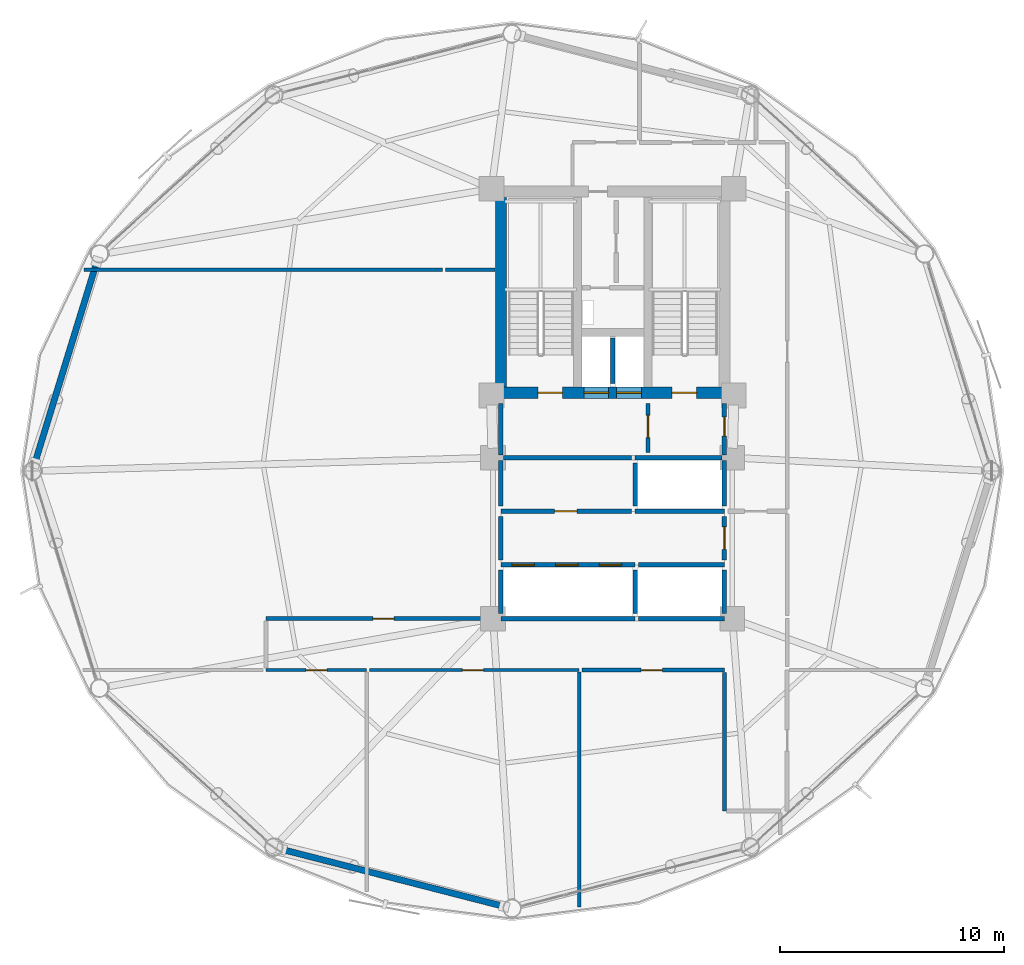
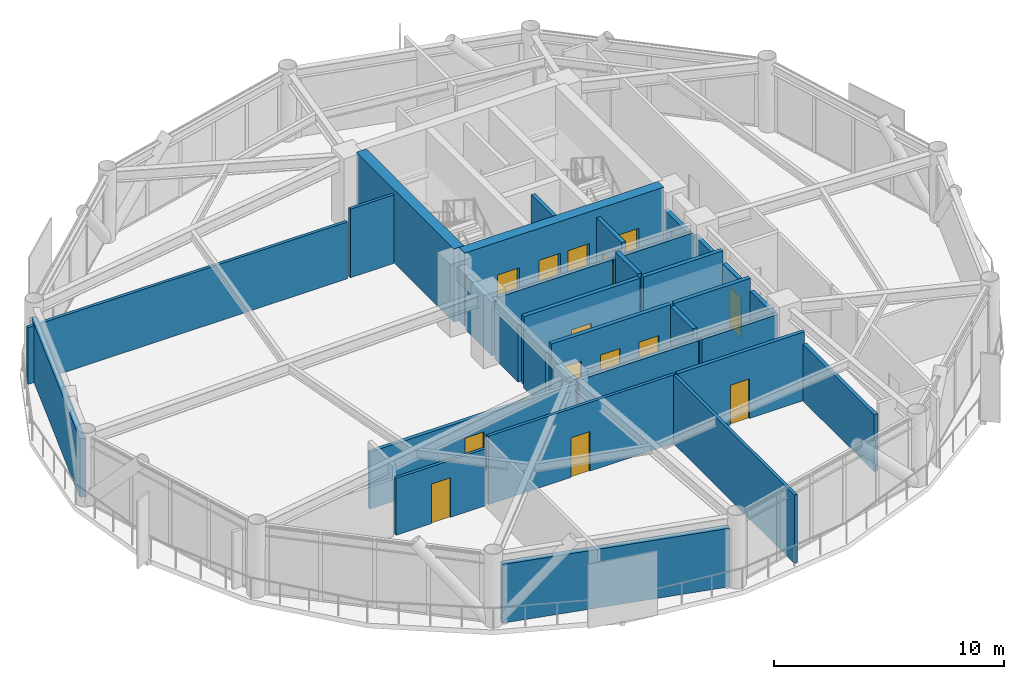
# One storey, part 20 of 24: 32 walls, 15 doors, 15 openings.
"""IFC4 building model written with IfcOpenShell, lengths in metres."""

from ifc_helpers import new_model, si_unit, direction, frame, frame_2d, origin, place, context, subcontext, project, spatial, rectangle, extrude, material, layer, layer_set, type_object, element, fill, save


model = new_model("IFC4")

# Units and contexts
model_context = context("Model", 3, precision=1e-05, world=origin(), true_north=direction((0.0, 1.0)))
body_context = subcontext(model_context, "Body", "Model", "MODEL_VIEW")
ifc_project = project(units=[si_unit("LENGTHUNIT", "METRE"), si_unit("AREAUNIT", "SQUARE_METRE"), si_unit("VOLUMEUNIT", "CUBIC_METRE"), si_unit("PLANEANGLEUNIT", "RADIAN"), si_unit("MASSUNIT", "GRAM", prefix="KILO")], contexts=[model_context])

# Site, building, storey
site_placement = place(None, origin())
site = spatial("IfcSite", under=ifc_project, at=site_placement, CompositionType="ELEMENT")
building_placement = place(site_placement, origin())
building = spatial("IfcBuilding", under=site, at=building_placement, Name="Varnakorn Sky Granary", CompositionType="ELEMENT")
storey_placement = place(building_placement, frame((0.0, 0.0, 111.0)))
storey = spatial("IfcBuildingStorey", under=building, at=storey_placement, Name="L27", CompositionType="ELEMENT", Elevation=111.0)

# Wall, openings, doors
ifc_material_1 = material(Name="Concrete C60/75", Category="concrete")
ifc_layer_1 = layer(ifc_material_1, 0.5, Name="Concrete C60/75")
ifc_layer_set_1 = layer_set([ifc_layer_1], Name="Concrete C60/75")
wall_type_1 = type_object("IfcWallType", Name="WT-CW-SHEAR-500", PredefinedType="SHEAR", material=ifc_layer_set_1)
wall_1_placement = place(storey_placement, frame((-2.0, 3.5, 0.0), z_axis=(0.0, 0.0, 1.0), x_axis=(1.0, 0.0, 0.0)))
wall_1 = element("IfcWall", 1, at=wall_1_placement, inside=storey, type_object=wall_type_1, Name="Core South Shear Wall L27", PredefinedType="SHEAR", context=body_context, shape_type="SweptSolid", body=[
    extrude(rectangle(XDim=10.0, YDim=0.5, at=frame_2d((5.0, 0.0))), origin(), (0.0, 0.0, 1.0), 3.89208984375),
])
opening_1_placement = place(wall_1_placement, frame((1.64990234375, 0.0, 0.0)))
opening_1 = element("IfcOpeningElement", 2, at=opening_1_placement, cuts=wall_1, Name="Opening FD-90", PredefinedType="OPENING", context=body_context, shape_type="SweptSolid", body=[
    extrude(rectangle(XDim=1.10009765625, YDim=2.14990234375, at=frame_2d((0.550048828125, 1.074951171875))), frame((0.0, 0.260009765625, 0.0), z_axis=(0.0, -1.0, 0.0), x_axis=(1.0, 0.0, 0.0)), (0.0, 0.0, 1.0), 0.52001953125),
])
opening_2_placement = place(wall_1_placement, frame((7.64990234375, 0.0, 0.0)))
opening_2 = element("IfcOpeningElement", 3, at=opening_2_placement, cuts=wall_1, Name="Opening FD-90", PredefinedType="OPENING", context=body_context, shape_type="SweptSolid", body=[
    extrude(rectangle(XDim=1.10009765625, YDim=2.14990234375, at=frame_2d((0.550048828125, 1.074951171875))), frame((0.0, 0.260009765625, 0.0), z_axis=(0.0, -1.0, 0.0), x_axis=(1.0, 0.0, 0.0)), (0.0, 0.0, 1.0), 0.52001953125),
])
opening_3_placement = place(wall_1_placement, frame((3.719970703125, 0.0, 0.0)))
opening_3 = element("IfcOpeningElement", 4, at=opening_3_placement, cuts=wall_1, Name="Opening LD-01", PredefinedType="OPENING", context=body_context, shape_type="SweptSolid", body=[
    extrude(rectangle(XDim=1.10009765625, YDim=2.199951171875, at=frame_2d((0.550048828125, 1.10009765625))), frame((0.0, 0.260009765625, 0.0), z_axis=(0.0, -1.0, 0.0), x_axis=(1.0, 0.0, 0.0)), (0.0, 0.0, 1.0), 0.52001953125),
])
opening_4_placement = place(wall_1_placement, frame((5.179931640625, 0.0, 0.0)))
opening_4 = element("IfcOpeningElement", 5, at=opening_4_placement, cuts=wall_1, Name="Opening LD-01", PredefinedType="OPENING", context=body_context, shape_type="SweptSolid", body=[
    extrude(rectangle(XDim=1.10009765625, YDim=2.199951171875, at=frame_2d((0.550048828125, 1.10009765625))), frame((0.0, 0.260009765625, 0.0), z_axis=(0.0, -1.0, 0.0), x_axis=(1.0, 0.0, 0.0)), (0.0, 0.0, 1.0), 0.52001953125),
])
ifc_material_2 = material(Name="Brushed Bronze Stainless Steel", Category="steel")
door_type_1 = type_object("IfcDoorType", Name="DR-LD-1100", OperationType="DOUBLE_DOOR_SLIDING", PredefinedType="DOOR", material=ifc_material_2)
door_1_placement = place(opening_3_placement, origin())
door_1 = element("IfcDoor", 6, at=door_1_placement, inside=storey, type_object=door_type_1, Name="Firefighting Lift FFL-1 Landing Door L27", OperationType="DOUBLE_DOOR_SLIDING", OverallHeight=2.199951171875, OverallWidth=1.10009765625, PredefinedType="DOOR", context=body_context, shape_type="SweptSolid", body=[
    extrude(rectangle(XDim=1.10009765625, YDim=2.199951171875, at=frame_2d((0.550048828125, 1.10009765625))), frame((0.0, 0.02490234375, 0.0), z_axis=(0.0, -1.0, 0.0), x_axis=(1.0, 0.0, 0.0)), (0.0, 0.0, 1.0), 0.050048828125),
])
fill(opening_3, door_1)
door_2_placement = place(opening_4_placement, origin())
door_2 = element("IfcDoor", 7, at=door_2_placement, inside=storey, type_object=door_type_1, Name="Firefighting Lift FFL-2 Landing Door L27", OperationType="DOUBLE_DOOR_SLIDING", OverallHeight=2.199951171875, OverallWidth=1.10009765625, PredefinedType="DOOR", context=body_context, shape_type="SweptSolid", body=[
    extrude(rectangle(XDim=1.10009765625, YDim=2.199951171875, at=frame_2d((0.550048828125, 1.10009765625))), frame((0.0, 0.02490234375, 0.0), z_axis=(0.0, -1.0, 0.0), x_axis=(1.0, 0.0, 0.0)), (0.0, 0.0, 1.0), 0.050048828125),
])
fill(opening_4, door_2)
ifc_material_3 = material(Name="Galvanised Painted Steel Leaf", Category="steel")
door_type_2 = type_object("IfcDoorType", Name="DR-STAIR-1100", OperationType="NOTDEFINED", PredefinedType="DOOR", material=ifc_material_3)
door_3_placement = place(opening_1_placement, origin())
door_3 = element("IfcDoor", 8, at=door_3_placement, inside=storey, type_object=door_type_2, Name="Stair ST-1 Protected Fire Door L27", OperationType="SINGLE_SWING_LEFT", OverallHeight=2.14990234375, OverallWidth=1.10009765625, PredefinedType="DOOR", context=body_context, shape_type="SweptSolid", body=[
    extrude(rectangle(XDim=1.10009765625, YDim=2.14990234375, at=frame_2d((0.550048828125, 1.074951171875))), frame((0.0, 0.02490234375, 0.0), z_axis=(0.0, -1.0, 0.0), x_axis=(1.0, 0.0, 0.0)), (0.0, 0.0, 1.0), 0.050048828125),
])
fill(opening_1, door_3)
door_4_placement = place(opening_2_placement, origin())
door_4 = element("IfcDoor", 9, at=door_4_placement, inside=storey, type_object=door_type_2, Name="Stair ST-2 Protected Fire Door L27", OperationType="SINGLE_SWING_RIGHT", OverallHeight=2.14990234375, OverallWidth=1.10009765625, PredefinedType="DOOR", context=body_context, shape_type="SweptSolid", body=[
    extrude(rectangle(XDim=1.10009765625, YDim=2.14990234375, at=frame_2d((0.550048828125, 1.074951171875))), frame((0.0, 0.02490234375, 0.0), z_axis=(0.0, -1.0, 0.0), x_axis=(1.0, 0.0, 0.0)), (0.0, 0.0, 1.0), 0.050048828125),
])
fill(opening_2, door_4)

# Walls
wall_2_placement = place(storey_placement, frame((-2.0, 3.760009765625, 0.0), z_axis=(0.0, 0.0, 1.0), x_axis=(0.0, 1.0, 0.0)))
element("IfcWall", 10, at=wall_2_placement, inside=storey, type_object=wall_type_1, Name="Core West Shear Wall L27", PredefinedType="SHEAR", context=body_context, shape_type="SweptSolid", body=[
    extrude(rectangle(XDim=8.47998046875, YDim=0.5, at=frame_2d((4.239990234375, 0.0))), origin(), (0.0, 0.0, 1.0), 3.89208984375),
])
ifc_material_4 = material(Name="Precast concrete C40/50", Category="concrete")
ifc_layer_2 = layer(ifc_material_4, 0.280029296875, Name="Precast concrete C40/50")
ifc_layer_set_2 = layer_set([ifc_layer_2], Name="Precast concrete C40/50")
wall_type_2 = type_object("IfcWallType", Name="WT-EW-CRN-280", PredefinedType="SOLIDWALL", material=ifc_layer_set_2)
wall_3_placement = place(storey_placement, frame((-22.843505859375, 0.345458984375, 0.0), z_axis=(0.0, 0.0, 1.0), x_axis=(0.294220311177, 0.95573762534, 0.0)))
element("IfcWall", 11, at=wall_3_placement, inside=storey, type_object=wall_type_2, Name="Agritech Insulated Precast Facade Wall L27-P06", PredefinedType="SOLIDWALL", context=body_context, shape_type="SweptSolid", body=[
    extrude(rectangle(XDim=9.44140625, YDim=0.280029296875, at=frame_2d((4.720703125, 0.0))), origin(), (0.0, 0.0, 1.0), 3.110107421875),
])
wall_4_placement = place(storey_placement, frame((-1.85009765625, -19.47412109375, 0.0), z_axis=(0.0, 0.0, 1.0), x_axis=(-0.96854773237, 0.248827832286, 0.0)))
element("IfcWall", 12, at=wall_4_placement, inside=storey, type_object=wall_type_2, Name="Agritech Insulated Precast Facade Wall L27-P09", PredefinedType="SOLIDWALL", context=body_context, shape_type="SweptSolid", body=[
    extrude(rectangle(XDim=10.280517578125, YDim=0.280029296875, at=frame_2d((5.14013671875, 0.0))), origin(), (0.0, 0.0, 1.0), 3.110107421875),
])

# Wall, opening, door
ifc_material_5 = material(Name="Autoclaved Aerated Concrete Blockwork", Category="masonry")
ifc_layer_3 = layer(ifc_material_5, 0.199951171875, Name="Autoclaved Aerated Concrete Blockwork")
ifc_layer_set_3 = layer_set([ifc_layer_3], Name="Autoclaved Aerated Concrete Blockwork")
wall_type_3 = type_object("IfcWallType", Name="WT-FIRE-200", PredefinedType="MOVABLE", material=ifc_layer_set_3)
wall_5_placement = place(storey_placement, frame((4.580078125, 0.830078125, 0.0), z_axis=(0.0, 0.0, 1.0), x_axis=(0.0, 1.0, 0.0)))
wall_5 = element("IfcWall", 13, at=wall_5_placement, inside=storey, type_object=wall_type_3, Name="Interior Partition Wall L27-015", PredefinedType="MOVABLE", context=body_context, shape_type="SweptSolid", body=[
    extrude(rectangle(XDim=2.18994140625, YDim=0.199951171875, at=frame_2d((1.094970703125, 0.0))), origin(), (0.0, 0.0, 1.0), 3.639892578125),
])
opening_5_placement = place(wall_5_placement, frame((0.659912109375, 0.0, 0.0)))
opening_5 = element("IfcOpeningElement", 14, at=opening_5_placement, cuts=wall_5, Name="Opening FD-60", PredefinedType="OPENING", context=body_context, shape_type="SweptSolid", body=[
    extrude(rectangle(XDim=1.0, YDim=2.10009765625, at=frame_2d((0.5, 1.050048828125))), frame((0.0, 0.10986328125, 0.0), z_axis=(0.0, -1.0, 0.0), x_axis=(1.0, 0.0, 0.0)), (0.0, 0.0, 1.0), 0.219970703125),
])
ifc_material_6 = material(Name="Acoustic Timber Fire Leaf", Category="wood")
door_type_3 = type_object("IfcDoorType", Name="DR-FD60-1000", OperationType="NOTDEFINED", PredefinedType="DOOR", material=ifc_material_6)
door_5_placement = place(opening_5_placement, origin())
door_5 = element("IfcDoor", 15, at=door_5_placement, inside=storey, type_object=door_type_3, Name="Interior Door L27-015-1", OperationType="SINGLE_SWING_RIGHT", OverallHeight=2.10009765625, OverallWidth=1.0, PredefinedType="DOOR", context=body_context, shape_type="SweptSolid", body=[
    extrude(rectangle(XDim=1.0, YDim=2.10009765625, at=frame_2d((0.5, 1.050048828125))), frame((0.0, 0.02490234375, 0.0), z_axis=(0.0, -1.0, 0.0), x_axis=(1.0, 0.0, 0.0)), (0.0, 0.0, 1.0), 0.050048828125),
])
fill(opening_5, door_5)

wall_6_placement = place(storey_placement, frame((8.0, 0.719970703125, 0.0), z_axis=(0.0, 0.0, 1.0), x_axis=(0.0, 1.0, 0.0)))
wall_6 = element("IfcWall", 16, at=wall_6_placement, inside=storey, type_object=wall_type_3, Name="Interior Partition Wall L27-016", PredefinedType="MOVABLE", context=body_context, shape_type="SweptSolid", body=[
    extrude(rectangle(XDim=2.300048828125, YDim=0.199951171875, at=frame_2d((1.14990234375, 0.0))), origin(), (0.0, 0.0, 1.0), 2.8720703125),
])
opening_6_placement = place(wall_6_placement, frame((0.844970703125, 0.0, 0.0)))
opening_6 = element("IfcOpeningElement", 17, at=opening_6_placement, cuts=wall_6, Name="Opening FD-60N", PredefinedType="OPENING", context=body_context, shape_type="SweptSolid", body=[
    extrude(rectangle(XDim=0.85009765625, YDim=2.10009765625, at=frame_2d((0.425048828125, 1.050048828125))), frame((0.0, 0.10986328125, 0.0), z_axis=(0.0, -1.0, 0.0), x_axis=(1.0, 0.0, 0.0)), (0.0, 0.0, 1.0), 0.219970703125),
])
door_type_4 = type_object("IfcDoorType", Name="DR-FD60-850", OperationType="NOTDEFINED", PredefinedType="DOOR", material=ifc_material_6)
door_6_placement = place(opening_6_placement, origin())
door_6 = element("IfcDoor", 18, at=door_6_placement, inside=storey, type_object=door_type_4, Name="Interior Door L27-016-1", OperationType="SINGLE_SWING_LEFT", OverallHeight=2.10009765625, OverallWidth=0.85009765625, PredefinedType="DOOR", context=body_context, shape_type="SweptSolid", body=[
    extrude(rectangle(XDim=0.85009765625, YDim=2.10009765625, at=frame_2d((0.425048828125, 1.050048828125))), frame((0.0, 0.02490234375, 0.0), z_axis=(0.0, -1.0, 0.0), x_axis=(1.0, 0.0, 0.0)), (0.0, 0.0, 1.0), 0.050048828125),
])
fill(opening_6, door_6)

wall_7_placement = place(storey_placement, frame((8.0, -3.969970703125, 0.0), z_axis=(0.0, 0.0, 1.0), x_axis=(0.0, 1.0, 0.0)))
wall_7 = element("IfcWall", 19, at=wall_7_placement, inside=storey, type_object=wall_type_3, Name="Interior Partition Wall L27-017", PredefinedType="MOVABLE", context=body_context, shape_type="SweptSolid", body=[
    extrude(rectangle(XDim=1.93994140625, YDim=0.199951171875, at=frame_2d((0.969970703125, 0.0))), origin(), (0.0, 0.0, 1.0), 3.072021484375),
])
opening_7_placement = place(wall_7_placement, frame((0.469970703125, 0.0, 0.0)))
opening_7 = element("IfcOpeningElement", 20, at=opening_7_placement, cuts=wall_7, Name="Opening FD-60", PredefinedType="OPENING", context=body_context, shape_type="SweptSolid", body=[
    extrude(rectangle(XDim=1.0, YDim=2.10009765625, at=frame_2d((0.5, 1.050048828125))), frame((0.0, 0.10986328125, 0.0), z_axis=(0.0, -1.0, 0.0), x_axis=(1.0, 0.0, 0.0)), (0.0, 0.0, 1.0), 0.219970703125),
])
door_7_placement = place(opening_7_placement, origin())
door_7 = element("IfcDoor", 21, at=door_7_placement, inside=storey, type_object=door_type_3, Name="Interior Door L27-017-1", OperationType="SINGLE_SWING_RIGHT", OverallHeight=2.10009765625, OverallWidth=1.0, PredefinedType="DOOR", context=body_context, shape_type="SweptSolid", body=[
    extrude(rectangle(XDim=1.0, YDim=2.10009765625, at=frame_2d((0.5, 1.050048828125))), frame((0.0, 0.02490234375, 0.0), z_axis=(0.0, -1.0, 0.0), x_axis=(1.0, 0.0, 0.0)), (0.0, 0.0, 1.0), 0.050048828125),
])
fill(opening_7, door_7)

wall_8_placement = place(storey_placement, frame((-2.0, -1.800048828125, 0.0), z_axis=(0.0, 0.0, 1.0), x_axis=(1.0, 0.0, 0.0)))
wall_8 = element("IfcWall", 22, at=wall_8_placement, inside=storey, type_object=wall_type_3, Name="Interior Partition Wall L27-018", PredefinedType="MOVABLE", context=body_context, shape_type="SweptSolid", body=[
    extrude(rectangle(XDim=5.840087890625, YDim=0.199951171875, at=frame_2d((2.919921875, 0.0))), origin(), (0.0, 0.0, 1.0), 3.639892578125),
])
opening_8_placement = place(wall_8_placement, frame((2.39990234375, 0.0, 0.0)))
opening_8 = element("IfcOpeningElement", 23, at=opening_8_placement, cuts=wall_8, Name="Opening FD-60", PredefinedType="OPENING", context=body_context, shape_type="SweptSolid", body=[
    extrude(rectangle(XDim=1.0, YDim=2.10009765625, at=frame_2d((0.5, 1.050048828125))), frame((0.0, 0.10986328125, 0.0), z_axis=(0.0, -1.0, 0.0), x_axis=(1.0, 0.0, 0.0)), (0.0, 0.0, 1.0), 0.219970703125),
])
door_8_placement = place(opening_8_placement, origin())
door_8 = element("IfcDoor", 24, at=door_8_placement, inside=storey, type_object=door_type_3, Name="Interior Door L27-018-1", OperationType="SINGLE_SWING_LEFT", OverallHeight=2.10009765625, OverallWidth=1.0, PredefinedType="DOOR", context=body_context, shape_type="SweptSolid", body=[
    extrude(rectangle(XDim=1.0, YDim=2.10009765625, at=frame_2d((0.5, 1.050048828125))), frame((0.0, 0.02490234375, 0.0), z_axis=(0.0, -1.0, 0.0), x_axis=(1.0, 0.0, 0.0)), (0.0, 0.0, 1.0), 0.050048828125),
])
fill(opening_8, door_8)

# Walls
wall_9_placement = place(storey_placement, frame((-1.8798828125, 0.60009765625, 0.0), z_axis=(0.0, 0.0, 1.0), x_axis=(1.0, 0.0, 0.0)))
element("IfcWall", 25, at=wall_9_placement, inside=storey, type_object=wall_type_3, Name="Interior Partition Wall L27-028", PredefinedType="MOVABLE", context=body_context, shape_type="SweptSolid", body=[
    extrude(rectangle(XDim=5.719970703125, YDim=0.199951171875, at=frame_2d((2.85986328125, 0.0))), origin(), (0.0, 0.0, 1.0), 3.172119140625),
])
wall_10_placement = place(storey_placement, frame((-2.0, 0.719970703125, 0.0), z_axis=(0.0, 0.0, 1.0), x_axis=(0.0, 1.0, 0.0)))
element("IfcWall", 26, at=wall_10_placement, inside=storey, type_object=wall_type_3, Name="Interior Partition Wall L27-029", PredefinedType="MOVABLE", context=body_context, shape_type="SweptSolid", body=[
    extrude(rectangle(XDim=2.300048828125, YDim=0.199951171875, at=frame_2d((1.14990234375, 0.0))), origin(), (0.0, 0.0, 1.0), 2.8720703125),
])
wall_11_placement = place(storey_placement, frame((-2.0, -3.969970703125, 0.0), z_axis=(0.0, 0.0, 1.0), x_axis=(0.0, 1.0, 0.0)))
element("IfcWall", 27, at=wall_11_placement, inside=storey, type_object=wall_type_3, Name="Interior Partition Wall L27-030", PredefinedType="MOVABLE", context=body_context, shape_type="SweptSolid", body=[
    extrude(rectangle(XDim=1.93994140625, YDim=0.199951171875, at=frame_2d((0.969970703125, 0.0))), origin(), (0.0, 0.0, 1.0), 3.02197265625),
])
wall_12_placement = place(storey_placement, frame((-2.0, -1.570068359375, 0.0), z_axis=(0.0, 0.0, 1.0), x_axis=(0.0, 1.0, 0.0)))
element("IfcWall", 28, at=wall_12_placement, inside=storey, type_object=wall_type_3, Name="Interior Partition Wall L27-031", PredefinedType="MOVABLE", context=body_context, shape_type="SweptSolid", body=[
    extrude(rectangle(XDim=2.050048828125, YDim=0.199951171875, at=frame_2d((1.02490234375, 0.0))), origin(), (0.0, 0.0, 1.0), 3.02197265625),
])

# Wall, opening, door
ifc_material_7 = material(Name="Gypsum Plasterboard on Steel Stud", Category="steel")
ifc_layer_4 = layer(ifc_material_7, 0.14990234375, Name="Gypsum Plasterboard on Steel Stud")
ifc_layer_set_4 = layer_set([ifc_layer_4], Name="Gypsum Plasterboard on Steel Stud")
wall_type_4 = type_object("IfcWallType", Name="WT-PART-150", PredefinedType="PARTITIONING", material=ifc_layer_set_4)
wall_13_placement = place(storey_placement, frame((-12.5, -8.89990234375, 0.0), z_axis=(0.0, 0.0, 1.0), x_axis=(1.0, 0.0, 0.0)))
wall_13 = element("IfcWall", 29, at=wall_13_placement, inside=storey, type_object=wall_type_4, Name="Interior Partition Wall L27-021", PredefinedType="PARTITIONING", context=body_context, shape_type="SweptSolid", body=[
    extrude(rectangle(XDim=4.5, YDim=0.14990234375, at=frame_2d((2.25, 0.0))), origin(), (0.0, 0.0, 1.0), 3.02197265625),
])
opening_9_placement = place(wall_13_placement, frame((1.77490234375, 0.0, 0.0)))
opening_9 = element("IfcOpeningElement", 30, at=opening_9_placement, cuts=wall_13, Name="Opening ID-95", PredefinedType="OPENING", context=body_context, shape_type="SweptSolid", body=[
    extrude(rectangle(XDim=0.949951171875, YDim=2.10009765625, at=frame_2d((0.47509765625, 1.050048828125))), frame((0.0, 0.0849609375, 0.0), z_axis=(0.0, -1.0, 0.0), x_axis=(1.0, 0.0, 0.0)), (0.0, 0.0, 1.0), 0.169921875),
])
ifc_material_8 = material(Name="Solid-Core Teak Veneer Leaf", Category="timber")
door_type_5 = type_object("IfcDoorType", Name="DR-INT-950", OperationType="NOTDEFINED", PredefinedType="DOOR", material=ifc_material_8)
door_9_placement = place(opening_9_placement, origin())
door_9 = element("IfcDoor", 31, at=door_9_placement, inside=storey, type_object=door_type_5, Name="Interior Door L27-021-1", OperationType="SINGLE_SWING_RIGHT", OverallHeight=2.10009765625, OverallWidth=0.949951171875, PredefinedType="DOOR", context=body_context, shape_type="SweptSolid", body=[
    extrude(rectangle(XDim=0.949951171875, YDim=2.10009765625, at=frame_2d((0.47509765625, 1.050048828125))), frame((0.0, 0.02490234375, 0.0), z_axis=(0.0, -1.0, 0.0), x_axis=(1.0, 0.0, 0.0)), (0.0, 0.0, 1.0), 0.050048828125),
])
fill(opening_9, door_9)

wall_14_placement = place(storey_placement, frame((-7.864990234375, -8.89990234375, 0.0), z_axis=(0.0, 0.0, 1.0), x_axis=(1.0, 0.0, 0.0)))
wall_14 = element("IfcWall", 32, at=wall_14_placement, inside=storey, type_object=wall_type_4, Name="Interior Partition Wall L27-022", PredefinedType="PARTITIONING", context=body_context, shape_type="SweptSolid", body=[
    extrude(rectangle(XDim=9.364990234375, YDim=0.14990234375, at=frame_2d((4.6826171875, 0.0))), origin(), (0.0, 0.0, 1.0), 3.639892578125),
])
opening_10_placement = place(wall_14_placement, frame((4.139892578125, 0.0, 0.0)))
opening_10 = element("IfcOpeningElement", 33, at=opening_10_placement, cuts=wall_14, Name="Opening ID-95", PredefinedType="OPENING", context=body_context, shape_type="SweptSolid", body=[
    extrude(rectangle(XDim=0.949951171875, YDim=2.10009765625, at=frame_2d((0.47509765625, 1.050048828125))), frame((0.0, 0.0849609375, 0.0), z_axis=(0.0, -1.0, 0.0), x_axis=(1.0, 0.0, 0.0)), (0.0, 0.0, 1.0), 0.169921875),
])
door_10_placement = place(opening_10_placement, origin())
door_10 = element("IfcDoor", 34, at=door_10_placement, inside=storey, type_object=door_type_5, Name="Interior Door L27-022-1", OperationType="SINGLE_SWING_LEFT", OverallHeight=2.10009765625, OverallWidth=0.949951171875, PredefinedType="DOOR", context=body_context, shape_type="SweptSolid", body=[
    extrude(rectangle(XDim=0.949951171875, YDim=2.10009765625, at=frame_2d((0.47509765625, 1.050048828125))), frame((0.0, 0.02490234375, 0.0), z_axis=(0.0, -1.0, 0.0), x_axis=(1.0, 0.0, 0.0)), (0.0, 0.0, 1.0), 0.050048828125),
])
fill(opening_10, door_10)

# Walls
wall_15_placement = place(storey_placement, frame((1.5, -8.985107421875, 0.0), z_axis=(0.0, 0.0, 1.0), x_axis=(0.0, -1.0, 0.0)))
element("IfcWall", 35, at=wall_15_placement, inside=storey, type_object=wall_type_4, Name="Interior Partition Wall L27-035", PredefinedType="PARTITIONING", context=body_context, shape_type="SweptSolid", body=[
    extrude(rectangle(XDim=10.50390625, YDim=0.14990234375, at=frame_2d((5.251953125, 0.0))), origin(), (0.0, 0.0, 1.0), 3.639892578125),
])
wall_16_placement = place(storey_placement, frame((-20.639892578125, 9.0, 0.0), z_axis=(0.0, 0.0, 1.0), x_axis=(1.0, 0.0, 0.0)))
element("IfcWall", 36, at=wall_16_placement, inside=storey, type_object=wall_type_4, Name="Interior Partition Wall L27-041", PredefinedType="PARTITIONING", context=body_context, shape_type="SweptSolid", body=[
    extrude(rectangle(XDim=16.039794921875, YDim=0.14990234375, at=frame_2d((8.02001953125, 0.0))), origin(), (0.0, 0.0, 1.0), 3.02197265625),
])
wall_17_placement = place(storey_placement, frame((-4.465087890625, 9.0, 0.0), z_axis=(0.0, 0.0, 1.0), x_axis=(1.0, 0.0, 0.0)))
element("IfcWall", 37, at=wall_17_placement, inside=storey, type_object=wall_type_4, Name="Interior Partition Wall L27-042", PredefinedType="PARTITIONING", context=body_context, shape_type="SweptSolid", body=[
    extrude(rectangle(XDim=2.205078125, YDim=0.14990234375, at=frame_2d((1.1025390625, 0.0))), origin(), (0.0, 0.0, 1.0), 3.639892578125),
])

# Wall, opening, door
ifc_material_9 = material(Name="Moisture-Resistant Gypsum on Stud", Category="gypsum")
ifc_layer_5 = layer(ifc_material_9, 0.179931640625, Name="Moisture-Resistant Gypsum on Stud")
ifc_layer_set_5 = layer_set([ifc_layer_5], Name="Moisture-Resistant Gypsum on Stud")
wall_type_5 = type_object("IfcWallType", Name="WT-PLUMB-180", PredefinedType="PLUMBINGWALL", material=ifc_layer_set_5)
wall_18_placement = place(storey_placement, frame((1.635009765625, -8.89990234375, 0.0), z_axis=(0.0, 0.0, 1.0), x_axis=(1.0, 0.0, 0.0)))
wall_18 = element("IfcWall", 38, at=wall_18_placement, inside=storey, type_object=wall_type_5, Name="Interior Partition Wall L27-023", PredefinedType="PLUMBINGWALL", context=body_context, shape_type="SweptSolid", body=[
    extrude(rectangle(XDim=6.364990234375, YDim=0.179931640625, at=frame_2d((3.1826171875, 0.0))), origin(), (0.0, 0.0, 1.0), 3.639892578125),
])
opening_11_placement = place(wall_18_placement, frame((2.639892578125, 0.0, 0.0)))
opening_11 = element("IfcOpeningElement", 39, at=opening_11_placement, cuts=wall_18, Name="Opening ID-95", PredefinedType="OPENING", context=body_context, shape_type="SweptSolid", body=[
    extrude(rectangle(XDim=0.949951171875, YDim=2.10009765625, at=frame_2d((0.47509765625, 1.050048828125))), frame((0.0, 0.10009765625, 0.0), z_axis=(0.0, -1.0, 0.0), x_axis=(1.0, 0.0, 0.0)), (0.0, 0.0, 1.0), 0.199951171875),
])
door_11_placement = place(opening_11_placement, origin())
door_11 = element("IfcDoor", 40, at=door_11_placement, inside=storey, type_object=door_type_5, Name="Interior Door L27-023-1", OperationType="SINGLE_SWING_RIGHT", OverallHeight=2.10009765625, OverallWidth=0.949951171875, PredefinedType="DOOR", context=body_context, shape_type="SweptSolid", body=[
    extrude(rectangle(XDim=0.949951171875, YDim=2.10009765625, at=frame_2d((0.47509765625, 1.050048828125))), frame((0.0, 0.02490234375, 0.0), z_axis=(0.0, -1.0, 0.0), x_axis=(1.0, 0.0, 0.0)), (0.0, 0.0, 1.0), 0.050048828125),
])
fill(opening_11, door_11)

wall_19_placement = place(storey_placement, frame((-2.159912109375, -6.60009765625, 0.0), z_axis=(0.0, 0.0, 1.0), x_axis=(-1.0, 0.0, 0.0)))
wall_19 = element("IfcWall", 41, at=wall_19_placement, inside=storey, type_object=wall_type_5, Name="Interior Partition Wall L27-025", PredefinedType="PLUMBINGWALL", context=body_context, shape_type="SweptSolid", body=[
    extrude(rectangle(XDim=10.340087890625, YDim=0.179931640625, at=frame_2d((5.169921875, 0.0))), origin(), (0.0, 0.0, 1.0), 3.02197265625),
])
opening_12_placement = place(wall_19_placement, frame((4.614990234375, 0.0, 0.0)))
opening_12 = element("IfcOpeningElement", 42, at=opening_12_placement, cuts=wall_19, Name="Opening ID-95", PredefinedType="OPENING", context=body_context, shape_type="SweptSolid", body=[
    extrude(rectangle(XDim=0.949951171875, YDim=2.10009765625, at=frame_2d((0.47509765625, 1.050048828125))), frame((0.0, 0.10009765625, 0.0), z_axis=(0.0, -1.0, 0.0), x_axis=(1.0, 0.0, 0.0)), (0.0, 0.0, 1.0), 0.199951171875),
])
door_12_placement = place(opening_12_placement, origin())
door_12 = element("IfcDoor", 43, at=door_12_placement, inside=storey, type_object=door_type_5, Name="Interior Door L27-025-1", OperationType="SINGLE_SWING_RIGHT", OverallHeight=2.10009765625, OverallWidth=0.949951171875, PredefinedType="DOOR", context=body_context, shape_type="SweptSolid", body=[
    extrude(rectangle(XDim=0.949951171875, YDim=2.10009765625, at=frame_2d((0.47509765625, 1.050048828125))), frame((0.0, 0.02490234375, 0.0), z_axis=(0.0, -1.0, 0.0), x_axis=(1.0, 0.0, 0.0)), (0.0, 0.0, 1.0), 0.050048828125),
])
fill(opening_12, door_12)

# Walls
wall_20_placement = place(storey_placement, frame((8.0, -9.0, 0.0), z_axis=(0.0, 0.0, 1.0), x_axis=(0.0, -1.0, 0.0)))
element("IfcWall", 44, at=wall_20_placement, inside=storey, type_object=wall_type_5, Name="Interior Partition Wall L27-036", PredefinedType="PLUMBINGWALL", context=body_context, shape_type="SweptSolid", body=[
    extrude(rectangle(XDim=6.199951171875, YDim=0.179931640625, at=frame_2d((3.10009765625, 0.0))), origin(), (0.0, 0.0, 1.0), 3.02197265625),
])
ifc_layer_6 = layer(ifc_material_5, 0.199951171875, Name="Autoclaved Aerated Concrete Blockwork")
ifc_layer_set_6 = layer_set([ifc_layer_6], Name="Autoclaved Aerated Concrete Blockwork")
wall_type_6 = type_object("IfcWallType", Name="WT-SHAFT-200", PredefinedType="SOLIDWALL", material=ifc_layer_set_6)
wall_21_placement = place(storey_placement, frame((3.0, 3.919921875, 0.0), z_axis=(0.0, 0.0, 1.0), x_axis=(0.0, 1.0, 0.0)))
element("IfcWall", 45, at=wall_21_placement, inside=storey, type_object=wall_type_6, Name="Interior Partition Wall L27-001", PredefinedType="SOLIDWALL", context=body_context, shape_type="SweptSolid", body=[
    extrude(rectangle(XDim=2.030029296875, YDim=0.199951171875, at=frame_2d((1.01513671875, 0.0))), origin(), (0.0, 0.0, 1.0), 3.639892578125),
])
wall_22_placement = place(storey_placement, frame((4.0, 0.60009765625, 0.0), z_axis=(0.0, 0.0, 1.0), x_axis=(1.0, 0.0, 0.0)))
element("IfcWall", 46, at=wall_22_placement, inside=storey, type_object=wall_type_6, Name="Interior Partition Wall L27-002", PredefinedType="SOLIDWALL", context=body_context, shape_type="SweptSolid", body=[
    extrude(rectangle(XDim=3.8798828125, YDim=0.199951171875, at=frame_2d((1.93994140625, 0.0))), origin(), (0.0, 0.0, 1.0), 3.172119140625),
])
wall_23_placement = place(storey_placement, frame((4.0, -1.800048828125, 0.0), z_axis=(0.0, 0.0, 1.0), x_axis=(1.0, 0.0, 0.0)))
element("IfcWall", 47, at=wall_23_placement, inside=storey, type_object=wall_type_6, Name="Interior Partition Wall L27-003", PredefinedType="SOLIDWALL", context=body_context, shape_type="SweptSolid", body=[
    extrude(rectangle(XDim=4.0, YDim=0.199951171875, at=frame_2d((2.0, 0.0))), origin(), (0.0, 0.0, 1.0), 3.639892578125),
])
wall_24_placement = place(storey_placement, frame((4.0, -1.570068359375, 0.0), z_axis=(0.0, 0.0, 1.0), x_axis=(0.0, 1.0, 0.0)))
element("IfcWall", 48, at=wall_24_placement, inside=storey, type_object=wall_type_6, Name="Interior Partition Wall L27-004", PredefinedType="SOLIDWALL", context=body_context, shape_type="SweptSolid", body=[
    extrude(rectangle(XDim=1.940185546875, YDim=0.199951171875, at=frame_2d((0.97021484375, 0.0))), origin(), (0.0, 0.0, 1.0), 3.639892578125),
])
wall_25_placement = place(storey_placement, frame((8.0, -1.570068359375, 0.0), z_axis=(0.0, 0.0, 1.0), x_axis=(0.0, 1.0, 0.0)))
element("IfcWall", 49, at=wall_25_placement, inside=storey, type_object=wall_type_6, Name="Interior Partition Wall L27-005", PredefinedType="SOLIDWALL", context=body_context, shape_type="SweptSolid", body=[
    extrude(rectangle(XDim=2.050048828125, YDim=0.199951171875, at=frame_2d((1.02490234375, 0.0))), origin(), (0.0, 0.0, 1.0), 3.072021484375),
])

# Wall, openings, doors
wall_26_placement = place(storey_placement, frame((-2.0, -4.199951171875, 0.0), z_axis=(0.0, 0.0, 1.0), x_axis=(1.0, 0.0, 0.0)))
wall_26 = element("IfcWall", 50, at=wall_26_placement, inside=storey, type_object=wall_type_6, Name="Interior Partition Wall L27-006", PredefinedType="SOLIDWALL", context=body_context, shape_type="SweptSolid", body=[
    extrude(rectangle(XDim=6.0, YDim=0.199951171875, at=frame_2d((3.0, 0.0))), origin(), (0.0, 0.0, 1.0), 3.639892578125),
])
opening_13_placement = place(wall_26_placement, frame((0.5, 0.0, 0.0)))
opening_13 = element("IfcOpeningElement", 51, at=opening_13_placement, cuts=wall_26, Name="Opening LD-03", PredefinedType="OPENING", context=body_context, shape_type="SweptSolid", body=[
    extrude(rectangle(XDim=1.0, YDim=2.199951171875, at=frame_2d((0.5, 1.10009765625))), frame((0.0, 0.10986328125, 0.0), z_axis=(0.0, -1.0, 0.0), x_axis=(1.0, 0.0, 0.0)), (0.0, 0.0, 1.0), 0.219970703125),
])
opening_14_placement = place(wall_26_placement, frame((2.449951171875, 0.0, 0.0)))
opening_14 = element("IfcOpeningElement", 52, at=opening_14_placement, cuts=wall_26, Name="Opening LD-03", PredefinedType="OPENING", context=body_context, shape_type="SweptSolid", body=[
    extrude(rectangle(XDim=1.0, YDim=2.199951171875, at=frame_2d((0.5, 1.10009765625))), frame((0.0, 0.10986328125, 0.0), z_axis=(0.0, -1.0, 0.0), x_axis=(1.0, 0.0, 0.0)), (0.0, 0.0, 1.0), 0.219970703125),
])
opening_15_placement = place(wall_26_placement, frame((4.39990234375, 0.0, 0.0)))
opening_15 = element("IfcOpeningElement", 53, at=opening_15_placement, cuts=wall_26, Name="Opening LD-03", PredefinedType="OPENING", context=body_context, shape_type="SweptSolid", body=[
    extrude(rectangle(XDim=1.0, YDim=2.199951171875, at=frame_2d((0.5, 1.10009765625))), frame((0.0, 0.10986328125, 0.0), z_axis=(0.0, -1.0, 0.0), x_axis=(1.0, 0.0, 0.0)), (0.0, 0.0, 1.0), 0.219970703125),
])
door_type_6 = type_object("IfcDoorType", Name="DR-LD-1000", OperationType="DOUBLE_DOOR_SLIDING", PredefinedType="DOOR", material=ifc_material_2)
door_13_placement = place(opening_13_placement, origin())
door_13 = element("IfcDoor", 54, at=door_13_placement, inside=storey, type_object=door_type_6, Name="Passenger Lift PL-M1 Sliding Landing Door L27", OperationType="DOUBLE_DOOR_SLIDING", OverallHeight=2.199951171875, OverallWidth=1.0, PredefinedType="DOOR", context=body_context, shape_type="SweptSolid", body=[
    extrude(rectangle(XDim=1.0, YDim=2.199951171875, at=frame_2d((0.5, 1.10009765625))), frame((0.0, 0.02490234375, 0.0), z_axis=(0.0, -1.0, 0.0), x_axis=(1.0, 0.0, 0.0)), (0.0, 0.0, 1.0), 0.050048828125),
])
fill(opening_13, door_13)
door_14_placement = place(opening_14_placement, origin())
door_14 = element("IfcDoor", 55, at=door_14_placement, inside=storey, type_object=door_type_6, Name="Passenger Lift PL-M2 Sliding Landing Door L27", OperationType="DOUBLE_DOOR_SLIDING", OverallHeight=2.199951171875, OverallWidth=1.0, PredefinedType="DOOR", context=body_context, shape_type="SweptSolid", body=[
    extrude(rectangle(XDim=1.0, YDim=2.199951171875, at=frame_2d((0.5, 1.10009765625))), frame((0.0, 0.02490234375, 0.0), z_axis=(0.0, -1.0, 0.0), x_axis=(1.0, 0.0, 0.0)), (0.0, 0.0, 1.0), 0.050048828125),
])
fill(opening_14, door_14)
door_15_placement = place(opening_15_placement, origin())
door_15 = element("IfcDoor", 56, at=door_15_placement, inside=storey, type_object=door_type_6, Name="Passenger Lift PL-M3 Sliding Landing Door L27", OperationType="DOUBLE_DOOR_SLIDING", OverallHeight=2.199951171875, OverallWidth=1.0, PredefinedType="DOOR", context=body_context, shape_type="SweptSolid", body=[
    extrude(rectangle(XDim=1.0, YDim=2.199951171875, at=frame_2d((0.5, 1.10009765625))), frame((0.0, 0.02490234375, 0.0), z_axis=(0.0, -1.0, 0.0), x_axis=(1.0, 0.0, 0.0)), (0.0, 0.0, 1.0), 0.050048828125),
])
fill(opening_15, door_15)

# Walls
wall_27_placement = place(storey_placement, frame((-2.0, -6.60009765625, 0.0), z_axis=(0.0, 0.0, 1.0), x_axis=(1.0, 0.0, 0.0)))
element("IfcWall", 57, at=wall_27_placement, inside=storey, type_object=wall_type_6, Name="Interior Partition Wall L27-007", PredefinedType="SOLIDWALL", context=body_context, shape_type="SweptSolid", body=[
    extrude(rectangle(XDim=6.0, YDim=0.199951171875, at=frame_2d((3.0, 0.0))), origin(), (0.0, 0.0, 1.0), 3.172119140625),
])
wall_28_placement = place(storey_placement, frame((-2.0, -6.3701171875, 0.0), z_axis=(0.0, 0.0, 1.0), x_axis=(0.0, 1.0, 0.0)))
element("IfcWall", 58, at=wall_28_placement, inside=storey, type_object=wall_type_6, Name="Interior Partition Wall L27-008", PredefinedType="SOLIDWALL", context=body_context, shape_type="SweptSolid", body=[
    extrude(rectangle(XDim=1.940185546875, YDim=0.199951171875, at=frame_2d((0.97021484375, 0.0))), origin(), (0.0, 0.0, 1.0), 3.02197265625),
])
wall_29_placement = place(storey_placement, frame((4.159912109375, -4.199951171875, 0.0), z_axis=(0.0, 0.0, 1.0), x_axis=(1.0, 0.0, 0.0)))
element("IfcWall", 59, at=wall_29_placement, inside=storey, type_object=wall_type_6, Name="Interior Partition Wall L27-009", PredefinedType="SOLIDWALL", context=body_context, shape_type="SweptSolid", body=[
    extrude(rectangle(XDim=3.840087890625, YDim=0.199951171875, at=frame_2d((1.919921875, 0.0))), origin(), (0.0, 0.0, 1.0), 3.639892578125),
])
wall_30_placement = place(storey_placement, frame((4.159912109375, -6.60009765625, 0.0), z_axis=(0.0, 0.0, 1.0), x_axis=(1.0, 0.0, 0.0)))
element("IfcWall", 60, at=wall_30_placement, inside=storey, type_object=wall_type_6, Name="Interior Partition Wall L27-010", PredefinedType="SOLIDWALL", context=body_context, shape_type="SweptSolid", body=[
    extrude(rectangle(XDim=3.840087890625, YDim=0.199951171875, at=frame_2d((1.919921875, 0.0))), origin(), (0.0, 0.0, 1.0), 3.172119140625),
])
wall_31_placement = place(storey_placement, frame((4.0, -6.3701171875, 0.0), z_axis=(0.0, 0.0, 1.0), x_axis=(0.0, 1.0, 0.0)))
element("IfcWall", 61, at=wall_31_placement, inside=storey, type_object=wall_type_6, Name="Interior Partition Wall L27-011", PredefinedType="SOLIDWALL", context=body_context, shape_type="SweptSolid", body=[
    extrude(rectangle(XDim=1.940185546875, YDim=0.199951171875, at=frame_2d((0.97021484375, 0.0))), origin(), (0.0, 0.0, 1.0), 3.639892578125),
])
wall_32_placement = place(storey_placement, frame((8.0, -6.3701171875, 0.0), z_axis=(0.0, 0.0, 1.0), x_axis=(0.0, 1.0, 0.0)))
element("IfcWall", 62, at=wall_32_placement, inside=storey, type_object=wall_type_6, Name="Interior Partition Wall L27-012", PredefinedType="SOLIDWALL", context=body_context, shape_type="SweptSolid", body=[
    extrude(rectangle(XDim=1.940185546875, YDim=0.199951171875, at=frame_2d((0.97021484375, 0.0))), origin(), (0.0, 0.0, 1.0), 3.072021484375),
])

save(model, "model.ifc")
